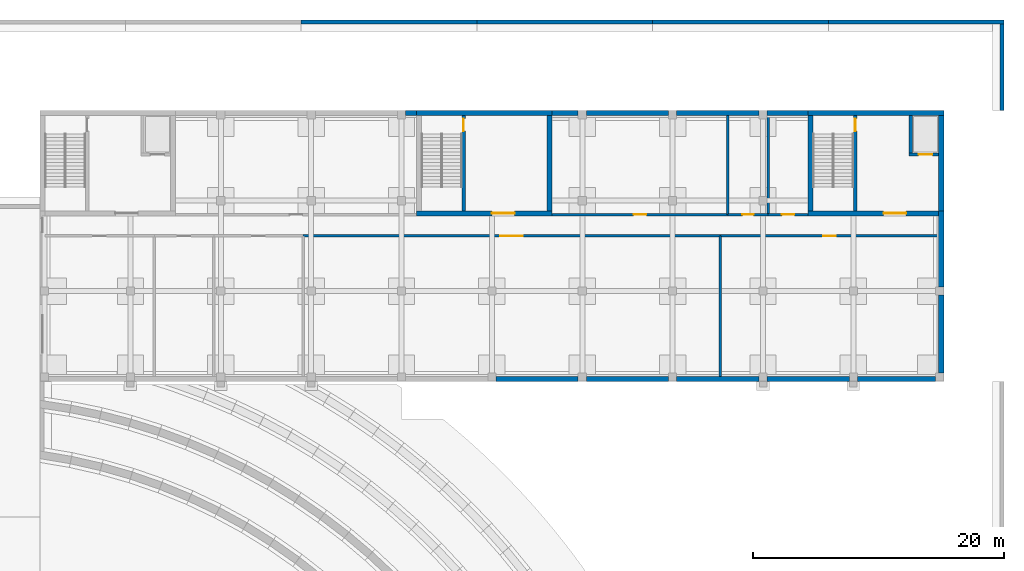
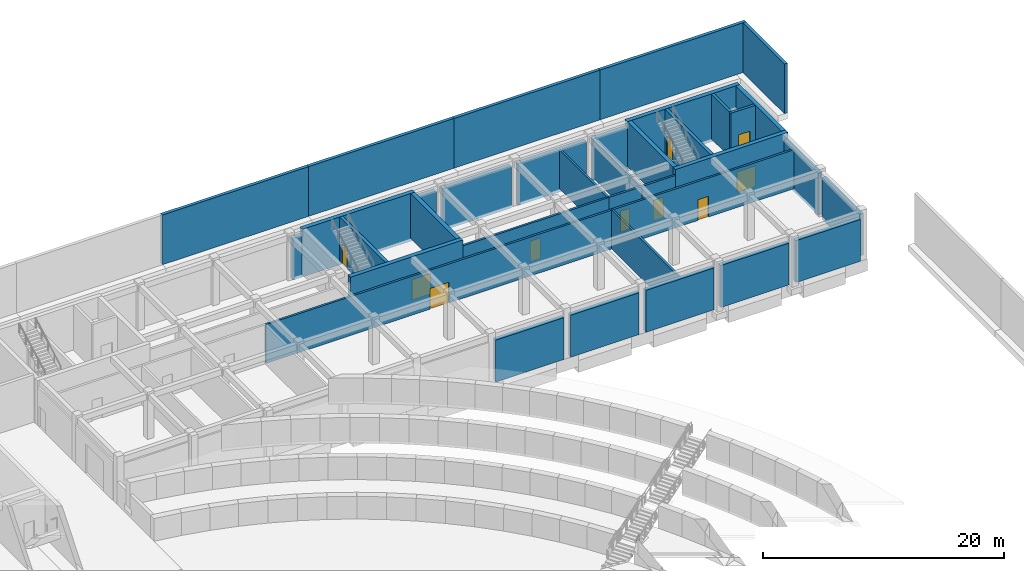
# One storey, part 58 of 73: 36 walls, 10 doors, 10 openings.
"""IFC4 building model written with IfcOpenShell, lengths in metres."""

from ifc_helpers import new_model, si_unit, direction, frame, frame_2d, origin, place, context, subcontext, project, spatial, rectangle, extrude, material, layer, layer_set, type_object, element, fill, save


model = new_model("IFC4")

# Units and contexts
model_context = context("Model", 3, precision=1e-05, world=origin(), true_north=direction((0.0, 1.0)))
body_context = subcontext(model_context, "Body", "Model", "MODEL_VIEW")
ifc_project = project(units=[si_unit("LENGTHUNIT", "METRE"), si_unit("AREAUNIT", "SQUARE_METRE"), si_unit("VOLUMEUNIT", "CUBIC_METRE"), si_unit("PLANEANGLEUNIT", "RADIAN"), si_unit("MASSUNIT", "GRAM", prefix="KILO")], contexts=[model_context])

# Site, building, storey
site_placement = place(None, origin())
site = spatial("IfcSite", under=ifc_project, at=site_placement, CompositionType="ELEMENT")
building_placement = place(site_placement, origin())
building = spatial("IfcBuilding", under=site, at=building_placement, Name="Alderwick Market Hall", CompositionType="ELEMENT")
storey_placement = place(building_placement, origin())
storey = spatial("IfcBuildingStorey", under=building, at=storey_placement, Name="LG", CompositionType="ELEMENT", Elevation=0.0)

# Walls
ifc_material_1 = material(Name="Concrete 5000 psi (f'c 35 MPa)", Category="concrete")
ifc_layer_1 = layer(ifc_material_1, 0.39990234375)
ifc_layer_set_1 = layer_set([ifc_layer_1], Name="Concrete 5000 psi (f'c 35 MPa)")
wall_type_1 = type_object("IfcWallType", Name="F Base Wall Concrete 5000 psi 400", PredefinedType="SHEAR", material=ifc_layer_set_1)
wall_1_placement = place(storey_placement, frame((201.27490234375, 129.800048828125, -0.300048828125), z_axis=(0.0, 0.0, 1.0), x_axis=(-1.0, 0.0, 0.0)))
element("IfcWall", 1, at=wall_1_placement, inside=storey, type_object=wall_type_1, Name="F.wall.LG.fac.front.06", PredefinedType="SHEAR", context=body_context, shape_type="SweptSolid", body=[
    extrude(rectangle(XDim=6.5498046875, YDim=0.39990234375, at=frame_2d((3.27490234375, 0.0))), origin(), (0.0, 0.0, 1.0), 4.25),
])
for number, where, z_axis, x_axis, name in (
    (2, (208.47509765625, 129.800048828125, -0.300048828125), (0.0, 0.0, 1.0), (-1.0, 0.0, 0.0), "F.wall.LG.fac.front.07"),
    (3, (215.675048828125, 129.800048828125, -0.300048828125), (0.0, 0.0, 1.0), (-1.0, 0.0, 0.0), "F.wall.LG.fac.front.08"),
    (4, (222.875, 129.800048828125, -0.300048828125), (0.0, 0.0, 1.0), (-1.0, 0.0, 0.0), "F.wall.LG.fac.front.09"),
):
    element("IfcWall", number, at=place(storey_placement, frame(where, z_axis=z_axis, x_axis=x_axis)), inside=storey, type_object=wall_type_1, Name=name, PredefinedType="SHEAR", context=body_context, shape_type="SweptSolid", body=[
        extrude(rectangle(XDim=6.550048828125, YDim=0.39990234375, at=frame_2d((3.27490234375, 0.0))), origin(), (0.0, 0.0, 1.0), 4.25),
    ])
wall_2_placement = place(storey_placement, frame((229.72509765625, 129.800048828125, -0.300048828125), z_axis=(0.0, 0.0, 1.0), x_axis=(-1.0, 0.0, 0.0)))
element("IfcWall", 5, at=wall_2_placement, inside=storey, type_object=wall_type_1, Name="F.wall.LG.fac.front.10", PredefinedType="SHEAR", context=body_context, shape_type="SweptSolid", body=[
    extrude(rectangle(XDim=6.2001953125, YDim=0.39990234375, at=frame_2d((3.10009765625, 0.0))), origin(), (0.0, 0.0, 1.0), 4.25),
])
wall_3_placement = place(storey_placement, frame((187.52490234375, 151.0, -0.300048828125), z_axis=(0.0, 0.0, 1.0), x_axis=(1.0, 0.0, 0.0)))
element("IfcWall", 6, at=wall_3_placement, inside=storey, type_object=wall_type_1, Name="F.wall.LG.fac.back.05", PredefinedType="SHEAR", context=body_context, shape_type="SweptSolid", body=[
    extrude(rectangle(XDim=0.875, YDim=0.39990234375, at=frame_2d((0.4375, 0.0))), origin(), (0.0, 0.0, 1.0), 4.25),
])
wall_4_placement = place(storey_placement, frame((199.199951171875, 151.0, -0.300048828125), z_axis=(0.0, 0.0, 1.0), x_axis=(1.0, 0.0, 0.0)))
element("IfcWall", 7, at=wall_4_placement, inside=storey, type_object=wall_type_1, Name="F.wall.LG.fac.back.07", PredefinedType="SHEAR", context=body_context, shape_type="SweptSolid", body=[
    extrude(rectangle(XDim=2.074951171875, YDim=0.39990234375, at=frame_2d((1.03759765625, 0.0))), origin(), (0.0, 0.0, 1.0), 4.25),
])
for number, where, z_axis, x_axis, name in (
    (8, (201.925048828125, 151.0, -0.300048828125), (0.0, 0.0, 1.0), (1.0, 0.0, 0.0), "F.wall.LG.fac.back.08"),
    (9, (209.125, 151.0, -0.300048828125), (0.0, 0.0, 1.0), (1.0, 0.0, 0.0), "F.wall.LG.fac.back.09"),
):
    element("IfcWall", number, at=place(storey_placement, frame(where, z_axis=z_axis, x_axis=x_axis)), inside=storey, type_object=wall_type_1, Name=name, PredefinedType="SHEAR", context=body_context, shape_type="SweptSolid", body=[
        extrude(rectangle(XDim=6.550048828125, YDim=0.39990234375, at=frame_2d((3.27490234375, 0.0))), origin(), (0.0, 0.0, 1.0), 4.25),
    ])
wall_5_placement = place(storey_placement, frame((216.324951171875, 151.0, -0.300048828125), z_axis=(0.0, 0.0, 1.0), x_axis=(1.0, 0.0, 0.0)))
element("IfcWall", 10, at=wall_5_placement, inside=storey, type_object=wall_type_1, Name="F.wall.LG.fac.back.10", PredefinedType="SHEAR", context=body_context, shape_type="SweptSolid", body=[
    extrude(rectangle(XDim=3.275146484375, YDim=0.39990234375, at=frame_2d((1.6376953125, 0.0))), origin(), (0.0, 0.0, 1.0), 4.25),
])
wall_6_placement = place(storey_placement, frame((230.199951171875, 136.47509765625, -0.300048828125), z_axis=(0.0, 0.0, 1.0), x_axis=(0.0, -1.0, 0.0)))
element("IfcWall", 11, at=wall_6_placement, inside=storey, type_object=wall_type_1, Name="F.wall.LG.fac.east.01", PredefinedType="SHEAR", context=body_context, shape_type="SweptSolid", body=[
    extrude(rectangle(XDim=6.2001953125, YDim=0.39990234375, at=frame_2d((3.10009765625, 0.0))), origin(), (0.0, 0.0, 1.0), 4.25),
])
wall_7_placement = place(storey_placement, frame((230.199951171875, 143.199951171875, -0.300048828125), z_axis=(0.0, 0.0, 1.0), x_axis=(0.0, -1.0, 0.0)))
element("IfcWall", 12, at=wall_7_placement, inside=storey, type_object=wall_type_1, Name="F.wall.LG.fac.east.02", PredefinedType="SHEAR", context=body_context, shape_type="SweptSolid", body=[
    extrude(rectangle(XDim=6.074951171875, YDim=0.39990234375, at=frame_2d((3.03759765625, 0.0))), origin(), (0.0, 0.0, 1.0), 4.25),
])
ifc_layer_2 = layer(ifc_material_1, 0.39990234375)
ifc_layer_set_2 = layer_set([ifc_layer_2], Name="Concrete 5000 psi (f'c 35 MPa)")
wall_type_2 = type_object("IfcWallType", Name="F Core Wall Concrete 5000 psi 400", PredefinedType="SHEAR", material=ifc_layer_set_2)
wall_8_placement = place(storey_placement, frame((188.39990234375, 151.0, -0.300048828125), z_axis=(0.0, 0.0, 1.0), x_axis=(1.0, 0.0, 0.0)))
element("IfcWall", 13, at=wall_8_placement, inside=storey, type_object=wall_type_2, Name="F.wall.LG.fac.back.06", PredefinedType="SHEAR", context=body_context, shape_type="SweptSolid", body=[
    extrude(rectangle(XDim=10.800048828125, YDim=0.39990234375, at=frame_2d((5.39990234375, 0.0))), origin(), (0.0, 0.0, 1.0), 4.85009765625),
])
wall_9_placement = place(storey_placement, frame((219.60009765625, 151.0, -0.300048828125), z_axis=(0.0, 0.0, 1.0), x_axis=(1.0, 0.0, 0.0)))
element("IfcWall", 14, at=wall_9_placement, inside=storey, type_object=wall_type_2, Name="F.wall.LG.fac.back.11", PredefinedType="SHEAR", context=body_context, shape_type="SweptSolid", body=[
    extrude(rectangle(XDim=10.7998046875, YDim=0.39990234375, at=frame_2d((5.39990234375, 0.0))), origin(), (0.0, 0.0, 1.0), 4.85009765625),
])
wall_10_placement = place(storey_placement, frame((230.199951171875, 150.800048828125, -0.300048828125), z_axis=(0.0, 0.0, 1.0), x_axis=(0.0, -1.0, 0.0)))
element("IfcWall", 15, at=wall_10_placement, inside=storey, type_object=wall_type_2, Name="F.wall.LG.fac.east.03", PredefinedType="SHEAR", context=body_context, shape_type="SweptSolid", body=[
    extrude(rectangle(XDim=7.60009765625, YDim=0.39990234375, at=frame_2d((3.800048828125, 0.0))), origin(), (0.0, 0.0, 1.0), 4.85009765625),
])

# Wall, opening, door
wall_11_placement = place(storey_placement, frame((188.39990234375, 143.0, 0.0), z_axis=(0.0, 0.0, 1.0), x_axis=(1.0, 0.0, 0.0)))
wall_11 = element("IfcWall", 16, at=wall_11_placement, inside=storey, type_object=wall_type_2, Name="F.wall.LG.core.B.front.01", PredefinedType="SHEAR", context=body_context, shape_type="SweptSolid", body=[
    extrude(rectangle(XDim=10.800048828125, YDim=0.39990234375, at=frame_2d((5.39990234375, 0.0))), origin(), (0.0, 0.0, 1.0), 4.550048828125),
])
opening_1_placement = place(wall_11_placement, frame((6.0, 0.0, 0.0)))
opening_1 = element("IfcOpeningElement", 17, at=opening_1_placement, cuts=wall_11, Name="Opening F-D020", PredefinedType="OPENING", context=body_context, shape_type="SweptSolid", body=[
    extrude(rectangle(XDim=1.800048828125, YDim=2.10009765625, at=frame_2d((0.89990234375, 1.050048828125))), frame((0.0, 0.2099609375, 0.0), z_axis=(0.0, -1.0, 0.0), x_axis=(1.0, 0.0, 0.0)), (0.0, 0.0, 1.0), 0.419921875),
])
ifc_material_2 = material(Name="Steel, insulated", Category="steel")
door_type_1 = type_object("IfcDoorType", Name="F Fire Door Pair FD90 1800x2100", OperationType="NOTDEFINED", PredefinedType="DOOR", material=ifc_material_2)
door_1_placement = place(opening_1_placement, origin())
door_1 = element("IfcDoor", 18, at=door_1_placement, inside=storey, type_object=door_type_1, Name="F.door.LG.020", OperationType="NOTDEFINED", OverallHeight=2.10009765625, OverallWidth=1.800048828125, PredefinedType="DOOR", context=body_context, shape_type="SweptSolid", body=[
    extrude(rectangle(XDim=1.800048828125, YDim=2.10009765625, at=frame_2d((0.89990234375, 1.050048828125))), frame((0.0, 0.02490234375, 0.0), z_axis=(0.0, -1.0, 0.0), x_axis=(1.0, 0.0, 0.0)), (0.0, 0.0, 1.0), 0.050048828125),
])
fill(opening_1, door_1)

# Wall
wall_12_placement = place(storey_placement, frame((199.0, 143.199951171875, 0.0), z_axis=(0.0, 0.0, 1.0), x_axis=(0.0, 1.0, 0.0)))
element("IfcWall", 19, at=wall_12_placement, inside=storey, type_object=wall_type_2, Name="F.wall.LG.core.B.east.01", PredefinedType="SHEAR", context=body_context, shape_type="SweptSolid", body=[
    extrude(rectangle(XDim=7.60009765625, YDim=0.39990234375, at=frame_2d((3.800048828125, 0.0))), origin(), (0.0, 0.0, 1.0), 4.550048828125),
])

# Wall, opening, door
wall_13_placement = place(storey_placement, frame((219.60009765625, 143.0, 0.0), z_axis=(0.0, 0.0, 1.0), x_axis=(1.0, 0.0, 0.0)))
wall_13 = element("IfcWall", 20, at=wall_13_placement, inside=storey, type_object=wall_type_2, Name="F.wall.LG.core.C.front.01", PredefinedType="SHEAR", context=body_context, shape_type="SweptSolid", body=[
    extrude(rectangle(XDim=10.7998046875, YDim=0.39990234375, at=frame_2d((5.39990234375, 0.0))), origin(), (0.0, 0.0, 1.0), 4.550048828125),
])
opening_2_placement = place(wall_13_placement, frame((6.0, 0.0, 0.0)))
opening_2 = element("IfcOpeningElement", 21, at=opening_2_placement, cuts=wall_13, Name="Opening F-D022", PredefinedType="OPENING", context=body_context, shape_type="SweptSolid", body=[
    extrude(rectangle(XDim=1.800048828125, YDim=2.10009765625, at=frame_2d((0.89990234375, 1.050048828125))), frame((0.0, 0.2099609375, 0.0), z_axis=(0.0, -1.0, 0.0), x_axis=(1.0, 0.0, 0.0)), (0.0, 0.0, 1.0), 0.419921875),
])
door_2_placement = place(opening_2_placement, origin())
door_2 = element("IfcDoor", 22, at=door_2_placement, inside=storey, type_object=door_type_1, Name="F.door.LG.022", OperationType="NOTDEFINED", OverallHeight=2.10009765625, OverallWidth=1.800048828125, PredefinedType="DOOR", context=body_context, shape_type="SweptSolid", body=[
    extrude(rectangle(XDim=1.800048828125, YDim=2.10009765625, at=frame_2d((0.89990234375, 1.050048828125))), frame((0.0, 0.02490234375, 0.0), z_axis=(0.0, -1.0, 0.0), x_axis=(1.0, 0.0, 0.0)), (0.0, 0.0, 1.0), 0.050048828125),
])
fill(opening_2, door_2)

# Wall
wall_14_placement = place(storey_placement, frame((219.800048828125, 143.199951171875, 0.0), z_axis=(0.0, 0.0, 1.0), x_axis=(0.0, 1.0, 0.0)))
element("IfcWall", 23, at=wall_14_placement, inside=storey, type_object=wall_type_2, Name="F.wall.LG.core.C.west.01", PredefinedType="SHEAR", context=body_context, shape_type="SweptSolid", body=[
    extrude(rectangle(XDim=7.60009765625, YDim=0.39990234375, at=frame_2d((3.800048828125, 0.0))), origin(), (0.0, 0.0, 1.0), 4.550048828125),
])

# Wall, opening, door
ifc_material_3 = material(Name="Gypsum board on steel studs", Category="steel")
ifc_layer_3 = layer(ifc_material_3, 0.199951171875)
ifc_layer_set_3 = layer_set([ifc_layer_3], Name="Gypsum board on steel studs")
wall_type_3 = type_object("IfcWallType", Name="F Fire Partition Wall 200", PredefinedType="PARTITIONING", material=ifc_layer_set_3)
wall_15_placement = place(storey_placement, frame((179.35009765625, 141.199951171875, 0.0), z_axis=(0.0, 0.0, 1.0), x_axis=(1.0, 0.0, 0.0)))
wall_15 = element("IfcWall", 24, at=wall_15_placement, inside=storey, type_object=wall_type_3, Name="F.wall.LG.part.004", PredefinedType="PARTITIONING", context=body_context, shape_type="SweptSolid", body=[
    extrude(rectangle(XDim=33.25, YDim=0.199951171875, at=frame_2d((16.625, 0.0))), origin(), (0.0, 0.0, 1.0), 3.949951171875),
])
opening_3_placement = place(wall_15_placement, frame((15.72509765625, 0.0, 0.0)))
opening_3 = element("IfcOpeningElement", 25, at=opening_3_placement, cuts=wall_15, Name="Opening F-D027", PredefinedType="OPENING", context=body_context, shape_type="SweptSolid", body=[
    extrude(rectangle(XDim=1.800048828125, YDim=2.10009765625, at=frame_2d((0.89990234375, 1.050048828125))), frame((0.0, 0.10986328125, 0.0), z_axis=(0.0, -1.0, 0.0), x_axis=(1.0, 0.0, 0.0)), (0.0, 0.0, 1.0), 0.219970703125),
])
door_type_2 = type_object("IfcDoorType", Name="F Fire Door Pair FD60 1800x2100", OperationType="NOTDEFINED", PredefinedType="DOOR", material=ifc_material_2)
door_3_placement = place(opening_3_placement, origin())
door_3 = element("IfcDoor", 26, at=door_3_placement, inside=storey, type_object=door_type_2, Name="F.door.LG.027", OperationType="NOTDEFINED", OverallHeight=2.10009765625, OverallWidth=1.800048828125, PredefinedType="DOOR", context=body_context, shape_type="SweptSolid", body=[
    extrude(rectangle(XDim=1.800048828125, YDim=2.10009765625, at=frame_2d((0.89990234375, 1.050048828125))), frame((0.0, 0.02490234375, 0.0), z_axis=(0.0, -1.0, 0.0), x_axis=(1.0, 0.0, 0.0)), (0.0, 0.0, 1.0), 0.050048828125),
])
fill(opening_3, door_3)

wall_16_placement = place(storey_placement, frame((212.60009765625, 141.199951171875, 0.0), z_axis=(0.0, 0.0, 1.0), x_axis=(1.0, 0.0, 0.0)))
wall_16 = element("IfcWall", 27, at=wall_16_placement, inside=storey, type_object=wall_type_3, Name="F.wall.LG.part.005", PredefinedType="PARTITIONING", context=body_context, shape_type="SweptSolid", body=[
    extrude(rectangle(XDim=17.39990234375, YDim=0.199951171875, at=frame_2d((8.699951171875, 0.0))), origin(), (0.0, 0.0, 1.0), 3.949951171875),
])
opening_4_placement = place(wall_16_placement, frame((8.199951171875, 0.0, 0.0)))
opening_4 = element("IfcOpeningElement", 28, at=opening_4_placement, cuts=wall_16, Name="Opening F-D028", PredefinedType="OPENING", context=body_context, shape_type="SweptSolid", body=[
    extrude(rectangle(XDim=1.0, YDim=2.10009765625, at=frame_2d((0.5, 1.050048828125))), frame((0.0, 0.10986328125, 0.0), z_axis=(0.0, -1.0, 0.0), x_axis=(1.0, 0.0, 0.0)), (0.0, 0.0, 1.0), 0.219970703125),
])
door_type_3 = type_object("IfcDoorType", Name="F Fire Door FD60 1000x2100", OperationType="NOTDEFINED", PredefinedType="DOOR", material=ifc_material_2)
door_4_placement = place(opening_4_placement, origin())
door_4 = element("IfcDoor", 29, at=door_4_placement, inside=storey, type_object=door_type_3, Name="F.door.LG.028", OperationType="NOTDEFINED", OverallHeight=2.10009765625, OverallWidth=1.0, PredefinedType="DOOR", context=body_context, shape_type="SweptSolid", body=[
    extrude(rectangle(XDim=1.0, YDim=2.10009765625, at=frame_2d((0.5, 1.050048828125))), frame((0.0, 0.02490234375, 0.0), z_axis=(0.0, -1.0, 0.0), x_axis=(1.0, 0.0, 0.0)), (0.0, 0.0, 1.0), 0.050048828125),
])
fill(opening_4, door_4)

# Walls
wall_17_placement = place(storey_placement, frame((212.60009765625, 130.0, 0.0), z_axis=(0.0, 0.0, 1.0), x_axis=(0.0, 1.0, 0.0)))
element("IfcWall", 30, at=wall_17_placement, inside=storey, type_object=wall_type_3, Name="F.wall.LG.part.013", PredefinedType="PARTITIONING", context=body_context, shape_type="SweptSolid", body=[
    extrude(rectangle(XDim=11.199951171875, YDim=0.199951171875, at=frame_2d((5.60009765625, 0.0))), origin(), (0.0, 0.0, 1.0), 3.949951171875),
])
ifc_layer_4 = layer(ifc_material_1, 0.25)
ifc_layer_set_4 = layer_set([ifc_layer_4], Name="Concrete 5000 psi (f'c 35 MPa)")
wall_type_4 = type_object("IfcWallType", Name="F Lift Shaft Wall Concrete 5000 psi 250", PredefinedType="SHEAR", material=ifc_layer_set_4)
wall_18_placement = place(storey_placement, frame((227.77490234375, 147.550048828125, 0.0), z_axis=(0.0, 0.0, 1.0), x_axis=(0.0, 1.0, 0.0)))
element("IfcWall", 31, at=wall_18_placement, inside=storey, type_object=wall_type_4, Name="F.wall.LG.core.C.shaftw.01", PredefinedType="SHEAR", context=body_context, shape_type="SweptSolid", body=[
    extrude(rectangle(XDim=3.25, YDim=0.25, at=frame_2d((1.625, 0.0))), origin(), (0.0, 0.0, 1.0), 4.550048828125),
])

# Wall, opening, door
wall_19_placement = place(storey_placement, frame((227.64990234375, 147.675048828125, 0.0), z_axis=(0.0, 0.0, 1.0), x_axis=(1.0, 0.0, 0.0)))
wall_19 = element("IfcWall", 32, at=wall_19_placement, inside=storey, type_object=wall_type_4, Name="F.wall.LG.core.C.shaftf.01", PredefinedType="SHEAR", context=body_context, shape_type="SweptSolid", body=[
    extrude(rectangle(XDim=2.35009765625, YDim=0.25, at=frame_2d((1.175048828125, 0.0))), origin(), (0.0, 0.0, 1.0), 4.550048828125),
])
opening_5_placement = place(wall_19_placement, frame((0.75, 0.0, 0.0)))
opening_5 = element("IfcOpeningElement", 33, at=opening_5_placement, cuts=wall_19, Name="Opening F-D023", PredefinedType="OPENING", context=body_context, shape_type="SweptSolid", body=[
    extrude(rectangle(XDim=1.10009765625, YDim=2.10009765625, at=frame_2d((0.550048828125, 1.050048828125))), frame((0.0, 0.135009765625, 0.0), z_axis=(0.0, -1.0, 0.0), x_axis=(1.0, 0.0, 0.0)), (0.0, 0.0, 1.0), 0.27001953125),
])
ifc_material_4 = material(Name="Stainless steel", Category="steel")
door_type_4 = type_object("IfcDoorType", Name="F Lift Landing Door 1100x2100", OperationType="SLIDING_TO_LEFT", PredefinedType="DOOR", material=ifc_material_4)
door_5_placement = place(opening_5_placement, origin())
door_5 = element("IfcDoor", 34, at=door_5_placement, inside=storey, type_object=door_type_4, Name="F.door.LG.023", OperationType="SLIDING_TO_LEFT", OverallHeight=2.10009765625, OverallWidth=1.10009765625, PredefinedType="DOOR", context=body_context, shape_type="SweptSolid", body=[
    extrude(rectangle(XDim=1.10009765625, YDim=2.10009765625, at=frame_2d((0.550048828125, 1.050048828125))), frame((0.0, 0.02490234375, 0.0), z_axis=(0.0, -1.0, 0.0), x_axis=(1.0, 0.0, 0.0)), (0.0, 0.0, 1.0), 0.050048828125),
])
fill(opening_5, door_5)

ifc_layer_5 = layer(ifc_material_3, 0.199951171875)
ifc_layer_set_5 = layer_set([ifc_layer_5], Name="Gypsum board on steel studs")
wall_type_5 = type_object("IfcWallType", Name="F Partition Wall 200", PredefinedType="PARTITIONING", material=ifc_layer_set_5)
wall_20_placement = place(storey_placement, frame((199.199951171875, 142.89990234375, 0.0), z_axis=(0.0, 0.0, 1.0), x_axis=(1.0, 0.0, 0.0)))
wall_20 = element("IfcWall", 35, at=wall_20_placement, inside=storey, type_object=wall_type_5, Name="F.wall.LG.part.007", PredefinedType="PARTITIONING", context=body_context, shape_type="SweptSolid", body=[
    extrude(rectangle(XDim=14.0, YDim=0.199951171875, at=frame_2d((7.0, 0.0))), origin(), (0.0, 0.0, 1.0), 3.949951171875),
])
opening_6_placement = place(wall_20_placement, frame((6.5, 0.0, 0.0)))
opening_6 = element("IfcOpeningElement", 36, at=opening_6_placement, cuts=wall_20, Name="Opening F-D030", PredefinedType="OPENING", context=body_context, shape_type="SweptSolid", body=[
    extrude(rectangle(XDim=1.0, YDim=2.10009765625, at=frame_2d((0.5, 1.050048828125))), frame((0.0, 0.10986328125, 0.0), z_axis=(0.0, -1.0, 0.0), x_axis=(1.0, 0.0, 0.0)), (0.0, 0.0, 1.0), 0.219970703125),
])
ifc_material_5 = material(Name="Timber, solid core", Category="wood")
door_type_5 = type_object("IfcDoorType", Name="F Door 1000x2100", OperationType="NOTDEFINED", PredefinedType="DOOR", material=ifc_material_5)
door_6_placement = place(opening_6_placement, origin())
door_6 = element("IfcDoor", 37, at=door_6_placement, inside=storey, type_object=door_type_5, Name="F.door.LG.030", OperationType="NOTDEFINED", OverallHeight=2.10009765625, OverallWidth=1.0, PredefinedType="DOOR", context=body_context, shape_type="SweptSolid", body=[
    extrude(rectangle(XDim=1.0, YDim=2.10009765625, at=frame_2d((0.5, 1.050048828125))), frame((0.0, 0.02490234375, 0.0), z_axis=(0.0, -1.0, 0.0), x_axis=(1.0, 0.0, 0.0)), (0.0, 0.0, 1.0), 0.050048828125),
])
fill(opening_6, door_6)

wall_21_placement = place(storey_placement, frame((213.199951171875, 142.89990234375, 0.0), z_axis=(0.0, 0.0, 1.0), x_axis=(1.0, 0.0, 0.0)))
wall_21 = element("IfcWall", 38, at=wall_21_placement, inside=storey, type_object=wall_type_5, Name="F.wall.LG.part.008", PredefinedType="PARTITIONING", context=body_context, shape_type="SweptSolid", body=[
    extrude(rectangle(XDim=3.199951171875, YDim=0.199951171875, at=frame_2d((1.60009765625, 0.0))), origin(), (0.0, 0.0, 1.0), 3.949951171875),
])
opening_7_placement = place(wall_21_placement, frame((1.14990234375, 0.0, 0.0)))
opening_7 = element("IfcOpeningElement", 39, at=opening_7_placement, cuts=wall_21, Name="Opening F-D031", PredefinedType="OPENING", context=body_context, shape_type="SweptSolid", body=[
    extrude(rectangle(XDim=0.89990234375, YDim=2.10009765625, at=frame_2d((0.449951171875, 1.050048828125))), frame((0.0, 0.10986328125, 0.0), z_axis=(0.0, -1.0, 0.0), x_axis=(1.0, 0.0, 0.0)), (0.0, 0.0, 1.0), 0.219970703125),
])
door_type_6 = type_object("IfcDoorType", Name="F Door 900x2100", OperationType="NOTDEFINED", PredefinedType="DOOR", material=ifc_material_5)
door_7_placement = place(opening_7_placement, origin())
door_7 = element("IfcDoor", 40, at=door_7_placement, inside=storey, type_object=door_type_6, Name="F.door.LG.031", OperationType="NOTDEFINED", OverallHeight=2.10009765625, OverallWidth=0.89990234375, PredefinedType="DOOR", context=body_context, shape_type="SweptSolid", body=[
    extrude(rectangle(XDim=0.89990234375, YDim=2.10009765625, at=frame_2d((0.449951171875, 1.050048828125))), frame((0.0, 0.02490234375, 0.0), z_axis=(0.0, -1.0, 0.0), x_axis=(1.0, 0.0, 0.0)), (0.0, 0.0, 1.0), 0.050048828125),
])
fill(opening_7, door_7)

wall_22_placement = place(storey_placement, frame((216.39990234375, 142.89990234375, 0.0), z_axis=(0.0, 0.0, 1.0), x_axis=(1.0, 0.0, 0.0)))
wall_22 = element("IfcWall", 41, at=wall_22_placement, inside=storey, type_object=wall_type_5, Name="F.wall.LG.part.009", PredefinedType="PARTITIONING", context=body_context, shape_type="SweptSolid", body=[
    extrude(rectangle(XDim=3.2001953125, YDim=0.199951171875, at=frame_2d((1.60009765625, 0.0))), origin(), (0.0, 0.0, 1.0), 3.949951171875),
])
opening_8_placement = place(wall_22_placement, frame((1.10009765625, 0.0, 0.0)))
opening_8 = element("IfcOpeningElement", 42, at=opening_8_placement, cuts=wall_22, Name="Opening F-D032", PredefinedType="OPENING", context=body_context, shape_type="SweptSolid", body=[
    extrude(rectangle(XDim=1.0, YDim=2.10009765625, at=frame_2d((0.5, 1.050048828125))), frame((0.0, 0.10986328125, 0.0), z_axis=(0.0, -1.0, 0.0), x_axis=(1.0, 0.0, 0.0)), (0.0, 0.0, 1.0), 0.219970703125),
])
door_8_placement = place(opening_8_placement, origin())
door_8 = element("IfcDoor", 43, at=door_8_placement, inside=storey, type_object=door_type_5, Name="F.door.LG.032", OperationType="NOTDEFINED", OverallHeight=2.10009765625, OverallWidth=1.0, PredefinedType="DOOR", context=body_context, shape_type="SweptSolid", body=[
    extrude(rectangle(XDim=1.0, YDim=2.10009765625, at=frame_2d((0.5, 1.050048828125))), frame((0.0, 0.02490234375, 0.0), z_axis=(0.0, -1.0, 0.0), x_axis=(1.0, 0.0, 0.0)), (0.0, 0.0, 1.0), 0.050048828125),
])
fill(opening_8, door_8)

# Walls
for number, where, z_axis, x_axis, name in (
    (44, (213.199951171875, 142.89990234375, 0.0), (0.0, 0.0, 1.0), (0.0, 1.0, 0.0), "F.wall.LG.part.014"),
    (45, (216.39990234375, 142.89990234375, 0.0), (0.0, 0.0, 1.0), (0.0, 1.0, 0.0), "F.wall.LG.part.015"),
):
    element("IfcWall", number, at=place(storey_placement, frame(where, z_axis=z_axis, x_axis=x_axis)), inside=storey, type_object=wall_type_5, Name=name, PredefinedType="PARTITIONING", context=body_context, shape_type="SweptSolid", body=[
        extrude(rectangle(XDim=7.900146484375, YDim=0.199951171875, at=frame_2d((3.9501953125, 0.0))), origin(), (0.0, 0.0, 1.0), 3.949951171875),
    ])

# Wall, opening, door
ifc_layer_6 = layer(ifc_material_1, 0.300048828125)
ifc_layer_set_6 = layer_set([ifc_layer_6], Name="Concrete 5000 psi (f'c 35 MPa)")
wall_type_6 = type_object("IfcWallType", Name="F Stair Divider Wall Concrete 5000 psi 300", PredefinedType="SHEAR", material=ifc_layer_set_6)
wall_23_placement = place(storey_placement, frame((192.14990234375, 143.199951171875, 0.0), z_axis=(0.0, 0.0, 1.0), x_axis=(0.0, 1.0, 0.0)))
wall_23 = element("IfcWall", 46, at=wall_23_placement, inside=storey, type_object=wall_type_6, Name="F.wall.LG.core.B.div.01", PredefinedType="SHEAR", context=body_context, shape_type="SweptSolid", body=[
    extrude(rectangle(XDim=7.60009765625, YDim=0.300048828125, at=frame_2d((3.800048828125, 0.0))), origin(), (0.0, 0.0, 1.0), 4.550048828125),
])
opening_9_placement = place(wall_23_placement, frame((6.35009765625, 0.0, 0.0)))
opening_9 = element("IfcOpeningElement", 47, at=opening_9_placement, cuts=wall_23, Name="Opening F-D019", PredefinedType="OPENING", context=body_context, shape_type="SweptSolid", body=[
    extrude(rectangle(XDim=1.0, YDim=2.10009765625, at=frame_2d((0.5, 1.050048828125))), frame((0.0, 0.159912109375, 0.0), z_axis=(0.0, -1.0, 0.0), x_axis=(1.0, 0.0, 0.0)), (0.0, 0.0, 1.0), 0.320068359375),
])
door_type_7 = type_object("IfcDoorType", Name="F Fire Door FD90 1000x2100", OperationType="NOTDEFINED", PredefinedType="DOOR", material=ifc_material_2)
door_9_placement = place(opening_9_placement, origin())
door_9 = element("IfcDoor", 48, at=door_9_placement, inside=storey, type_object=door_type_7, Name="F.door.LG.019", OperationType="NOTDEFINED", OverallHeight=2.10009765625, OverallWidth=1.0, PredefinedType="DOOR", context=body_context, shape_type="SweptSolid", body=[
    extrude(rectangle(XDim=1.0, YDim=2.10009765625, at=frame_2d((0.5, 1.050048828125))), frame((0.0, 0.02490234375, 0.0), z_axis=(0.0, -1.0, 0.0), x_axis=(1.0, 0.0, 0.0)), (0.0, 0.0, 1.0), 0.050048828125),
])
fill(opening_9, door_9)

wall_24_placement = place(storey_placement, frame((223.35009765625, 143.199951171875, 0.0), z_axis=(0.0, 0.0, 1.0), x_axis=(0.0, 1.0, 0.0)))
wall_24 = element("IfcWall", 49, at=wall_24_placement, inside=storey, type_object=wall_type_6, Name="F.wall.LG.core.C.div.01", PredefinedType="SHEAR", context=body_context, shape_type="SweptSolid", body=[
    extrude(rectangle(XDim=7.60009765625, YDim=0.300048828125, at=frame_2d((3.800048828125, 0.0))), origin(), (0.0, 0.0, 1.0), 4.550048828125),
])
opening_10_placement = place(wall_24_placement, frame((6.35009765625, 0.0, 0.0)))
opening_10 = element("IfcOpeningElement", 50, at=opening_10_placement, cuts=wall_24, Name="Opening F-D021", PredefinedType="OPENING", context=body_context, shape_type="SweptSolid", body=[
    extrude(rectangle(XDim=1.0, YDim=2.10009765625, at=frame_2d((0.5, 1.050048828125))), frame((0.0, 0.159912109375, 0.0), z_axis=(0.0, -1.0, 0.0), x_axis=(1.0, 0.0, 0.0)), (0.0, 0.0, 1.0), 0.320068359375),
])
door_10_placement = place(opening_10_placement, origin())
door_10 = element("IfcDoor", 51, at=door_10_placement, inside=storey, type_object=door_type_7, Name="F.door.LG.021", OperationType="NOTDEFINED", OverallHeight=2.10009765625, OverallWidth=1.0, PredefinedType="DOOR", context=body_context, shape_type="SweptSolid", body=[
    extrude(rectangle(XDim=1.0, YDim=2.10009765625, at=frame_2d((0.5, 1.050048828125))), frame((0.0, 0.02490234375, 0.0), z_axis=(0.0, -1.0, 0.0), x_axis=(1.0, 0.0, 0.0)), (0.0, 0.0, 1.0), 0.050048828125),
])
fill(opening_10, door_10)

# Walls
ifc_layer_7 = layer(ifc_material_1, 0.300048828125)
ifc_layer_set_7 = layer_set([ifc_layer_7], Name="Concrete 5000 psi (f'c 35 MPa)")
wall_type_7 = type_object("IfcWallType", Name="S Retaining Wall 300", PredefinedType="SOLIDWALL", material=ifc_layer_set_7)
for number, where, z_axis, x_axis, name in (
    (52, (179.199951171875, 158.2490234375, -0.25), (0.0, 0.0, 1.0), (1.0, 0.0, 0.0), "Boundary wall N02c"),
    (53, (193.199951171875, 158.2490234375, -0.25), (0.0, 0.0, 1.0), (1.0, 0.0, 0.0), "Boundary wall N02d"),
    (54, (207.199951171875, 158.2490234375, -0.25), (0.0, 0.0, 1.0), (1.0, 0.0, 0.0), "Boundary wall N02e"),
):
    element("IfcWall", number, at=place(storey_placement, frame(where, z_axis=z_axis, x_axis=x_axis)), inside=storey, type_object=wall_type_7, Name=name, PredefinedType="SOLIDWALL", context=body_context, shape_type="SweptSolid", body=[
        extrude(rectangle(XDim=14.0, YDim=0.300048828125, at=frame_2d((7.0, 0.0))), origin(), (0.0, 0.0, 1.0), 5.050048828125),
    ])
wall_25_placement = place(storey_placement, frame((221.199951171875, 158.2490234375, -0.25), z_axis=(0.0, 0.0, 1.0), x_axis=(1.0, 0.0, 0.0)))
element("IfcWall", 55, at=wall_25_placement, inside=storey, type_object=wall_type_7, Name="Boundary wall N02f", PredefinedType="SOLIDWALL", context=body_context, shape_type="SweptSolid", body=[
    extrude(rectangle(XDim=13.9990234375, YDim=0.300048828125, at=frame_2d((6.99951171875, 0.0))), origin(), (0.0, 0.0, 1.0), 5.050048828125),
])
wall_26_placement = place(storey_placement, frame((235.049072265625, 151.199951171875, -0.25), z_axis=(0.0, 0.0, 1.0), x_axis=(0.0, 1.0, 0.0)))
element("IfcWall", 56, at=wall_26_placement, inside=storey, type_object=wall_type_7, Name="Boundary wall E05a", PredefinedType="SOLIDWALL", context=body_context, shape_type="SweptSolid", body=[
    extrude(rectangle(XDim=6.900146484375, YDim=0.300048828125, at=frame_2d((3.4501953125, 0.0))), origin(), (0.0, 0.0, 1.0), 5.050048828125),
])

save(model, "model.ifc")
